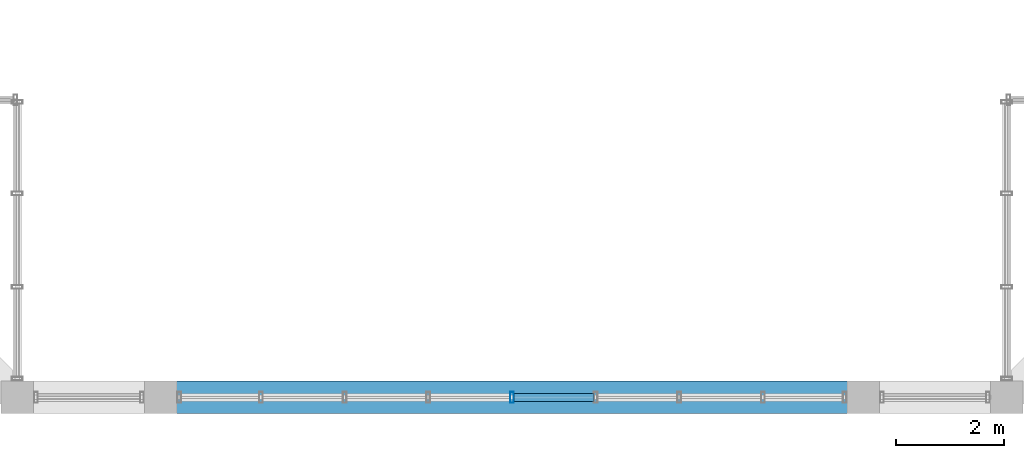
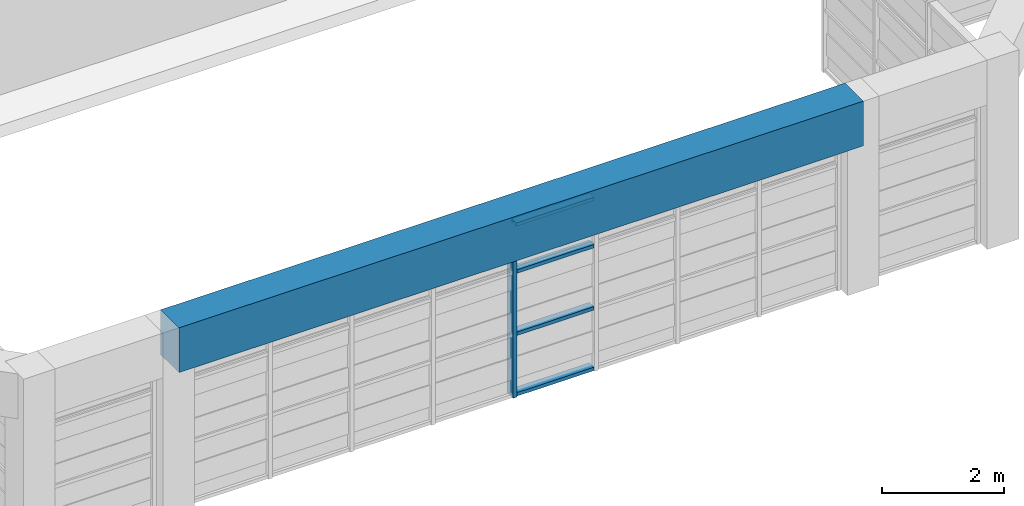
# One storey, part 3 of 27: 5 members, 1 beam, 1 element without a shape of its own.
"""IFC4 building model written with IfcOpenShell, lengths in metres."""

from ifc_helpers import new_model, si_unit, direction, frame, origin, origin_2d, place, context, subcontext, project, spatial, rectangle, hollow_rectangle, extrude, source, transform, mapped, material, layer, layer_set, material_profile, profile_set, type_object, element, aggregate, save


model = new_model("IFC4")

# Units and contexts
model_context = context("Model", 3, precision=1e-05, world=origin(), true_north=direction((0.0, 1.0)))
body_context = subcontext(model_context, "Body", "Model", "MODEL_VIEW")
ifc_project = project(units=[si_unit("LENGTHUNIT", "METRE"), si_unit("AREAUNIT", "SQUARE_METRE"), si_unit("VOLUMEUNIT", "CUBIC_METRE"), si_unit("PLANEANGLEUNIT", "RADIAN"), si_unit("MASSUNIT", "GRAM", prefix="KILO")], contexts=[model_context])

# Site, building, storey
site_placement = place(None, origin())
site = spatial("IfcSite", under=ifc_project, at=site_placement, CompositionType="ELEMENT")
building_placement = place(site_placement, origin())
building = spatial("IfcBuilding", under=site, at=building_placement, Name="Saelheon Loggia Tower", CompositionType="ELEMENT")
storey_placement = place(building_placement, frame((0.0, 0.0, 256.0)))
storey = spatial("IfcBuildingStorey", under=building, at=storey_placement, Name="CR2", CompositionType="ELEMENT", Elevation=256.0)

# Beam
ifc_material_1 = material(Name="Precast Concrete C45/55", Category="concrete")
ifc_material_profile_1 = material_profile(ifc_material_1, rectangle(XDim=0.60009765625, YDim=0.89990234375, at=origin_2d()), Name="RC-600x900")
ifc_profile_set_1 = profile_set([ifc_material_profile_1], Name="Precast Concrete C45/55")
beam_type = type_object("IfcBeamType", Name="CrownFrame_Ring_RC600x900", PredefinedType="BEAM", material=ifc_profile_set_1)
shared_shape_1 = source(origin(), body_context, "Body", "SweptSolid", [
    extrude(rectangle(XDim=0.60009765625, YDim=0.89990234375, at=origin_2d()), origin(), (0.0, 0.0, 1.0), 13.0),
])
beam_placement = place(storey_placement, frame((31.5, 6.35009765625, 3.35009765625), z_axis=(1.0, 0.0, 0.0), x_axis=(0.0, 1.0, 0.0)))
element("IfcBeam", 1, at=beam_placement, inside=storey, type_object=beam_type, Name="CR2 CROWN FRAME Ring Beam 02", PredefinedType="BEAM", context=body_context, shape_type="MappedRepresentation", body=[
    mapped(shared_shape_1, transform((0.0, 0.0, 0.0), scale=1.0)),
])

# Curtain wall, members
ifc_material_2 = material(Name="Bronze-Anodised Aluminium and Fritted Ceramic Screen", Category="aluminium")
ifc_layer = layer(ifc_material_2, 0.219970703125)
ifc_layer_set = layer_set([ifc_layer], Name="Bronze-Anodised Aluminium and Fritted Ceramic Screen")
curtain_wall_type = type_object("IfcCurtainWallType", Name="CW_CrownScreen", PredefinedType="NOTDEFINED", material=ifc_layer_set)
curtain_wall_placement = place(storey_placement, origin())
curtain_wall = element("IfcCurtainWall", 2, at=curtain_wall_placement, inside=storey, type_object=curtain_wall_type, Name="CR2 Crown Screen Curtain Wall 0-2", PredefinedType="NOTDEFINED")
ifc_material_3 = material(Name="Bronze-Anodised Aluminium 6063-T6", Category="aluminium")
ifc_material_profile_2 = material_profile(ifc_material_3, hollow_rectangle(XDim=0.070068359375, YDim=0.199951171875, WallThickness=0.0048828125, at=origin_2d()), Name="RHS-200x70x5")
ifc_profile_set_2 = profile_set([ifc_material_profile_2], Name="Bronze-Anodised Aluminium 6063-T6")
member_type_1 = type_object("IfcMemberType", Name="CW_CrownScreen_Mullion", PredefinedType="MULLION", material=ifc_profile_set_2)
shared_shape_2 = source(origin(), body_context, "Body", "SweptSolid", [
    extrude(hollow_rectangle(XDim=0.070068359375, YDim=0.199951171875, WallThickness=0.0048828125, at=origin_2d()), origin(), (0.0, 0.0, 1.0), 3.47998046875),
])
member_1_placement = place(storey_placement, frame((38.0, 6.35009765625, 0.0), z_axis=(0.0, 0.0, 1.0), x_axis=(1.0, 0.0, 0.0)))
member_1 = element("IfcMember", 3, at=member_1_placement, type_object=member_type_1, Name="CW6 mullion 5", PredefinedType="MULLION", context=body_context, shape_type="MappedRepresentation", body=[
    mapped(shared_shape_2, transform((0.0, 0.0, 0.0), scale=1.0)),
])
ifc_material_profile_3 = material_profile(ifc_material_3, hollow_rectangle(XDim=0.070068359375, YDim=0.14990234375, WallThickness=0.0048828125, at=origin_2d()), Name="RHS-150x70x5")
ifc_profile_set_3 = profile_set([ifc_material_profile_3], Name="Bronze-Anodised Aluminium 6063-T6")
member_type_2 = type_object("IfcMemberType", Name="CW_CrownScreen_Transom", PredefinedType="USERDEFINED", material=ifc_profile_set_3)
shared_shape_3 = source(origin(), body_context, "Body", "SweptSolid", [
    extrude(hollow_rectangle(XDim=0.070068359375, YDim=0.14990234375, WallThickness=0.0048828125, at=origin_2d()), origin(), (0.0, 0.0, 1.0), 1.4775390625),
])
member_2_placement = place(storey_placement, frame((38.034912109375, 6.35009765625, 0.034912109375), z_axis=(1.0, 0.0, 0.0), x_axis=(0.0, 0.0, 1.0)))
member_2 = element("IfcMember", 4, at=member_2_placement, type_object=member_type_2, Name="CW6 transom 5.1", ObjectType="TRANSOM", PredefinedType="USERDEFINED", context=body_context, shape_type="MappedRepresentation", body=[
    mapped(shared_shape_3, transform((0.0, 0.0, 0.0), scale=1.0)),
])
member_3_placement = place(storey_placement, frame((38.034912109375, 6.35009765625, 1.25), z_axis=(1.0, 0.0, 0.0), x_axis=(0.0, 0.0, 1.0)))
member_3 = element("IfcMember", 5, at=member_3_placement, type_object=member_type_2, Name="CW6 transom 5.2", ObjectType="TRANSOM", PredefinedType="USERDEFINED", context=body_context, shape_type="MappedRepresentation", body=[
    mapped(shared_shape_3, transform((0.0, 0.0, 0.0), scale=1.0)),
])
member_4_placement = place(storey_placement, frame((38.034912109375, 6.35009765625, 2.5), z_axis=(1.0, 0.0, 0.0), x_axis=(0.0, 0.0, 1.0)))
member_4 = element("IfcMember", 6, at=member_4_placement, type_object=member_type_2, Name="CW6 transom 5.3", ObjectType="TRANSOM", PredefinedType="USERDEFINED", context=body_context, shape_type="MappedRepresentation", body=[
    mapped(shared_shape_3, transform((0.0, 0.0, 0.0), scale=1.0)),
])
member_5_placement = place(storey_placement, frame((38.034912109375, 6.35009765625, 3.445068359375), z_axis=(1.0, 0.0, 0.0), x_axis=(0.0, 0.0, 1.0)))
member_5 = element("IfcMember", 7, at=member_5_placement, type_object=member_type_2, Name="CW6 transom 5.4", ObjectType="TRANSOM", PredefinedType="USERDEFINED", context=body_context, shape_type="MappedRepresentation", body=[
    mapped(shared_shape_3, transform((0.0, 0.0, 0.0), scale=1.0)),
])
aggregate(curtain_wall, [member_1, member_2, member_3, member_4, member_5])

save(model, "model.ifc")
